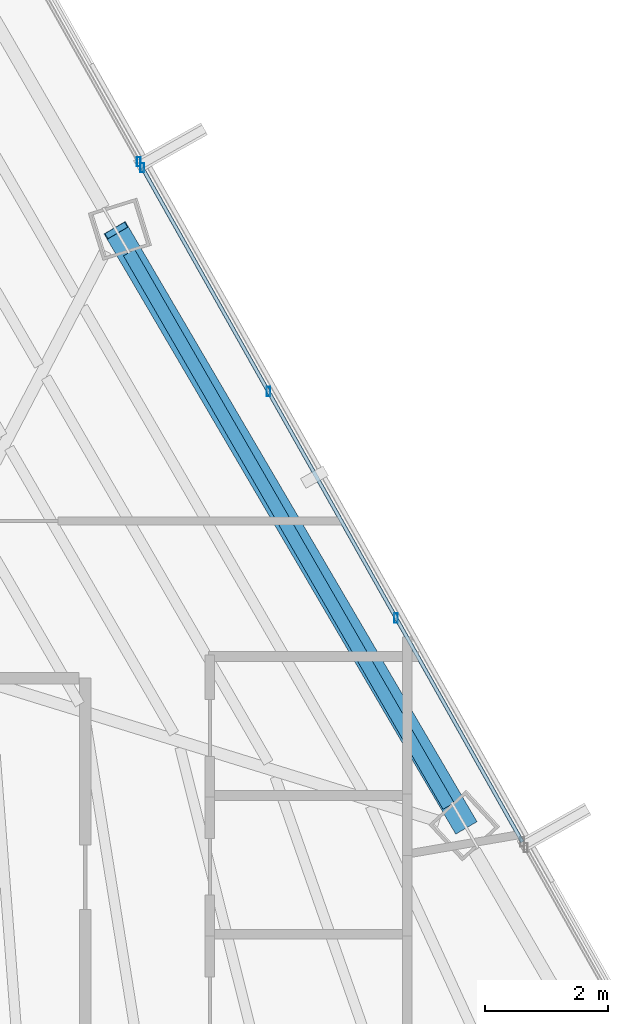
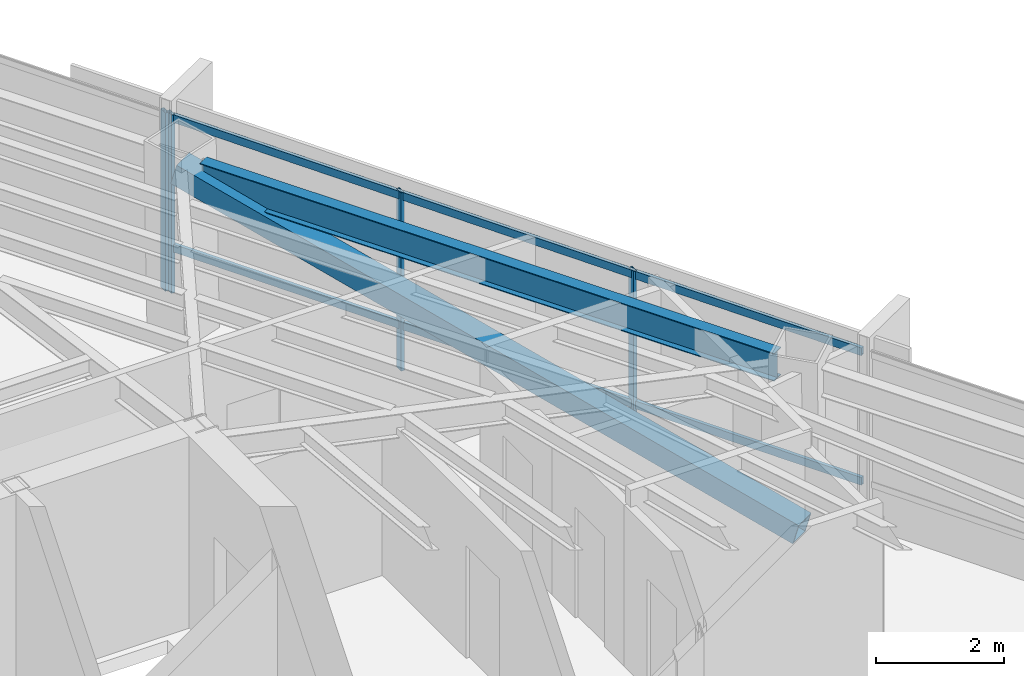
# One storey, part 26 of 42: 7 members, 1 beam, 2 elements without a shape of their own.
"""IFC4 building model written with IfcOpenShell, lengths in metres."""

from ifc_helpers import new_model, si_unit, direction, frame, origin, origin_2d, place, context, subcontext, project, spatial, hollow_rectangle, i_section, extrude, source, transform, mapped, material, material_profile, profile_set, type_object, type_shapes, element, aggregate, save


model = new_model("IFC4")

# Units and contexts
model_context = context("Model", 3, precision=1e-05, world=origin(), true_north=direction((0.0, 1.0)))
body_context = subcontext(model_context, "Body", "Model", "MODEL_VIEW")
ifc_project = project(units=[si_unit("LENGTHUNIT", "METRE"), si_unit("AREAUNIT", "SQUARE_METRE"), si_unit("VOLUMEUNIT", "CUBIC_METRE"), si_unit("PLANEANGLEUNIT", "RADIAN"), si_unit("MASSUNIT", "GRAM", prefix="KILO")], contexts=[model_context])

# Site, building, storey
site_placement = place(None, origin())
site = spatial("IfcSite", under=ifc_project, at=site_placement, CompositionType="ELEMENT")
building_placement = place(site_placement, origin())
building = spatial("IfcBuilding", under=site, at=building_placement, Name="Caelisora Broadcast Tower", CompositionType="ELEMENT")
storey_placement = place(building_placement, frame((0.0, 0.0, 184.050048828125)))
storey = spatial("IfcBuildingStorey", under=building, at=storey_placement, Name="L48", CompositionType="ELEMENT", Elevation=184.050048828125)

# Beam
ifc_material_1 = material(Name="Steel Grade 350 (AS/NZS 3679.1)", Category="steel")
ifc_material_profile_1 = material_profile(ifc_material_1, i_section(OverallWidth=0.208984375, OverallDepth=0.532958984375, WebThickness=0.01025390625, FlangeThickness=0.015625, at=origin_2d()), Name="Steel Grade 350 (AS/NZS 3679.1)")
ifc_profile_set_1 = profile_set([ifc_material_profile_1], Name="Steel Grade 350 (AS/NZS 3679.1)")
beam_type = type_object("IfcBeamType", Name="PG05", PredefinedType="BEAM", material=ifc_profile_set_1)
shared_shape_1 = source(origin(), body_context, "Body", "SweptSolid", [
    extrude(i_section(OverallWidth=0.208984375, OverallDepth=0.532958984375, WebThickness=0.01025390625, FlangeThickness=0.015625, at=origin_2d()), origin(), (0.0, 0.0, 1.0), 10.360107421875),
])
type_shapes(beam_type, [shared_shape_1])
beam_placement = place(storey_placement, frame((54.471435546875, 27.5283203125, 3.133544921875), z_axis=(-0.500006673782, 0.86602155064, 0.0), x_axis=(-0.86602155064, -0.500006673782, 0.0)))
element("IfcBeam", 1, at=beam_placement, inside=storey, type_object=beam_type, Name="L48 beam PG05", PredefinedType="BEAM", context=body_context, shape_type="MappedRepresentation", body=[
    mapped(shared_shape_1, transform((0.0, 0.0, 0.0), scale=1.0)),
])

# Member
ifc_material_2 = material(Name="Steel Grade 450 (AS/NZS 1163 C450L0)", Category="steel")
ifc_material_profile_2 = material_profile(ifc_material_2, hollow_rectangle(XDim=0.39990234375, YDim=0.39990234375, WallThickness=0.01611328125, at=origin_2d()), Name="Steel Grade 450 (AS/NZS 1163 C450L0)")
ifc_profile_set_2 = profile_set([ifc_material_profile_2], Name="Steel Grade 450 (AS/NZS 1163 C450L0)")
member_type_1 = type_object("IfcMemberType", Name="BR04", PredefinedType="BRACE", material=ifc_profile_set_2)
shared_shape_2 = source(origin(), body_context, "Body", "SweptSolid", [
    extrude(hollow_rectangle(XDim=0.39990234375, YDim=0.39990234375, WallThickness=0.01611328125, at=origin_2d()), origin(), (0.0, 0.0, 1.0), 11.572021484375),
])
type_shapes(member_type_1, [shared_shape_2])
member_1_placement = place(storey_placement, frame((54.73388671875, 27.21826171875, 0.099853515625), z_axis=(-0.488306354769, 0.833274909827, 0.259248584463), x_axis=(-0.862772560835, -0.505592235176, 0.0)))
element("IfcMember", 2, at=member_1_placement, inside=storey, type_object=member_type_1, Name="L48 perimeter brace BR04", PredefinedType="BRACE", context=body_context, shape_type="MappedRepresentation", body=[
    mapped(shared_shape_2, transform((0.0, 0.0, 0.0), scale=1.0)),
])

# Curtain wall, member
ifc_material_3 = material(Name="Unitised Aluminium and Low-E Glass Curtain Wall", Category="glass")
curtain_wall_type_1 = type_object("IfcCurtainWallType", Name="CW-Z4", PredefinedType="NOTDEFINED", material=ifc_material_3)
curtain_wall_1_placement = place(storey_placement, origin())
curtain_wall_1 = element("IfcCurtainWall", 3, at=curtain_wall_1_placement, inside=storey, type_object=curtain_wall_type_1, Name="L48 curtain wall CW-Z4", PredefinedType="NOTDEFINED")
ifc_material_4 = material(Name="Aluminium 6063-T6 Anodised Terracotta Bronze", Category="aluminium")
ifc_material_profile_3 = material_profile(ifc_material_4, hollow_rectangle(XDim=0.06005859375, YDim=0.14990234375, WallThickness=0.00341796875, at=origin_2d()), Name="Aluminium 6063-T6 Anodised Terracotta Bronze")
ifc_profile_set_3 = profile_set([ifc_material_profile_3], Name="Aluminium 6063-T6 Anodised Terracotta Bronze")
member_type_2 = type_object("IfcMemberType", Name="CWM-03", PredefinedType="MULLION", material=ifc_profile_set_3)
shared_shape_3 = source(origin(), body_context, "Body", "SweptSolid", [
    extrude(hollow_rectangle(XDim=0.06005859375, YDim=0.14990234375, WallThickness=0.00341796875, at=origin_2d()), origin(), (0.0, 0.0, 1.0), 3.39990234375),
])
type_shapes(member_type_2, [shared_shape_3])
member_2_placement = place(storey_placement, frame((49.449462890625, 37.973388671875, 0.0), z_axis=(0.0, 0.0, 1.0), x_axis=(1.0, 0.0, 0.0)))
member_2 = element("IfcMember", 4, at=member_2_placement, type_object=member_type_2, Name="L48-CW-B01 mullion #3", PredefinedType="MULLION", context=body_context, shape_type="MappedRepresentation", body=[
    mapped(shared_shape_3, transform((0.0, 0.0, 0.0), scale=1.0)),
])
aggregate(curtain_wall_1, [member_2])

# Curtain wall, members
ifc_material_5 = material(Name="Unitised Aluminium Insulated Shadow-Box Spandrel Curtain Wall", Category="aluminium")
curtain_wall_type_2 = type_object("IfcCurtainWallType", Name="CW-SP2", PredefinedType="NOTDEFINED", material=ifc_material_5)
curtain_wall_2_placement = place(storey_placement, origin())
curtain_wall_2 = element("IfcCurtainWall", 5, at=curtain_wall_2_placement, inside=storey, type_object=curtain_wall_type_2, Name="L48 curtain wall CW-SP2", PredefinedType="NOTDEFINED")
member_3_placement = place(storey_placement, frame((49.50341796875, 37.877685546875, 0.0), z_axis=(0.0, 0.0, 1.0), x_axis=(1.0, 0.0, 0.0)))
member_3 = element("IfcMember", 6, at=member_3_placement, type_object=member_type_2, Name="L48-CW-B02 mullion #0", PredefinedType="MULLION", context=body_context, shape_type="MappedRepresentation", body=[
    mapped(shared_shape_3, transform((0.0, 0.0, 0.0), scale=1.0)),
])
member_4_placement = place(storey_placement, frame((51.549560546875, 34.248291015625, 0.0), z_axis=(0.0, 0.0, 1.0), x_axis=(1.0, 0.0, 0.0)))
member_4 = element("IfcMember", 7, at=member_4_placement, type_object=member_type_2, Name="L48-CW-B02 mullion #1", PredefinedType="MULLION", context=body_context, shape_type="MappedRepresentation", body=[
    mapped(shared_shape_3, transform((0.0, 0.0, 0.0), scale=1.0)),
])
member_5_placement = place(storey_placement, frame((53.620361328125, 30.575439453125, 0.0), z_axis=(0.0, 0.0, 1.0), x_axis=(1.0, 0.0, 0.0)))
member_5 = element("IfcMember", 8, at=member_5_placement, type_object=member_type_2, Name="L48-CW-B02 mullion #2", PredefinedType="MULLION", context=body_context, shape_type="MappedRepresentation", body=[
    mapped(shared_shape_3, transform((0.0, 0.0, 0.0), scale=1.0)),
])
ifc_material_profile_4 = material_profile(ifc_material_4, hollow_rectangle(XDim=0.06005859375, YDim=0.14990234375, WallThickness=0.00341796875, at=origin_2d()), Name="Aluminium 6063-T6 Anodised Terracotta Bronze")
ifc_profile_set_4 = profile_set([ifc_material_profile_4], Name="Aluminium 6063-T6 Anodised Terracotta Bronze")
member_type_3 = type_object("IfcMemberType", Name="CWT-02", PredefinedType="USERDEFINED", material=ifc_profile_set_4)
shared_shape_4 = source(origin(), body_context, "Body", "SweptSolid", [
    extrude(hollow_rectangle(XDim=0.06005859375, YDim=0.14990234375, WallThickness=0.00341796875, at=origin_2d()), origin(), (0.0, 0.0, 1.0), 12.549072265625),
])
type_shapes(member_type_3, [shared_shape_4])
member_6_placement = place(storey_placement, frame((49.50341796875, 37.877685546875, 0.849853515625), z_axis=(0.491119095196, -0.871092437307, 0.0), x_axis=(0.871092437307, 0.491119095196, 0.0)))
member_6 = element("IfcMember", 9, at=member_6_placement, type_object=member_type_3, Name="L48-CW-B02 transom #1", ObjectType="TRANSOM", PredefinedType="USERDEFINED", context=body_context, shape_type="MappedRepresentation", body=[
    mapped(shared_shape_4, transform((0.0, 0.0, 0.0), scale=1.0)),
])
member_7_placement = place(storey_placement, frame((49.50341796875, 37.877685546875, 3.320068359375), z_axis=(0.491119095196, -0.871092437307, 0.0), x_axis=(0.871092437307, 0.491119095196, 0.0)))
member_7 = element("IfcMember", 10, at=member_7_placement, type_object=member_type_3, Name="L48-CW-B02 transom #2", ObjectType="TRANSOM", PredefinedType="USERDEFINED", context=body_context, shape_type="MappedRepresentation", body=[
    mapped(shared_shape_4, transform((0.0, 0.0, 0.0), scale=1.0)),
])
aggregate(curtain_wall_2, [member_3, member_4, member_5, member_6, member_7])

save(model, "model.ifc")
